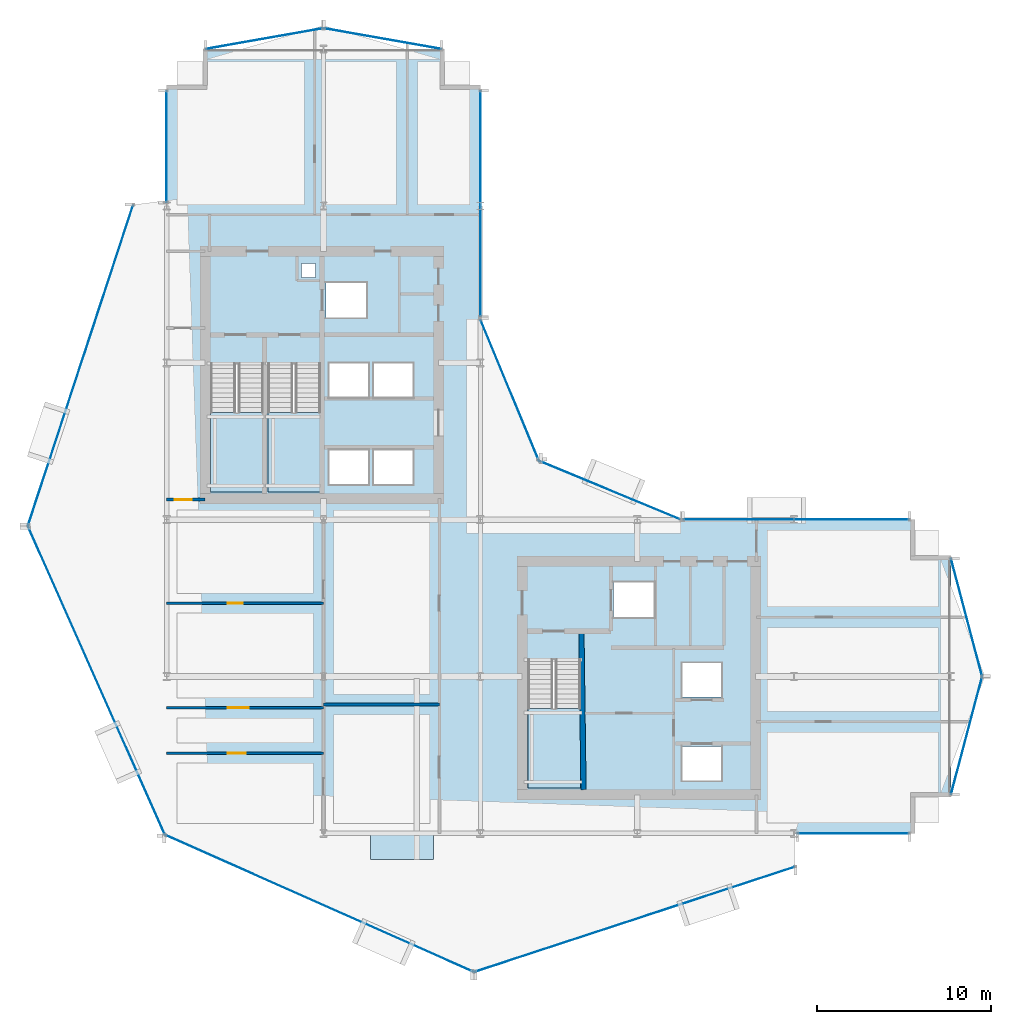
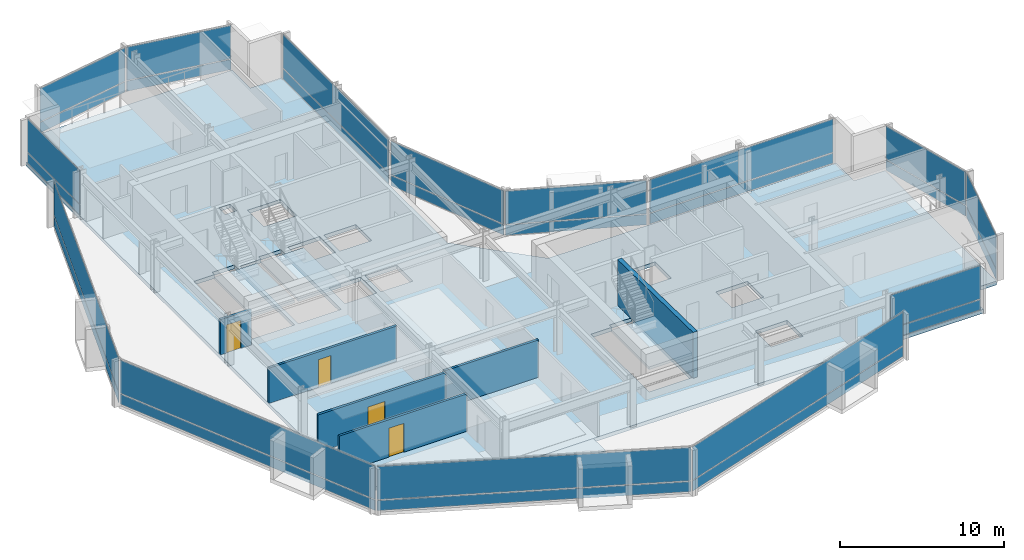
# One storey, part 21 of 29: 28 plates, 6 walls, 5 slabs, 4 doors, 4 openings, 17 elements without a shape of their own.
"""IFC4 building model written with IfcOpenShell, lengths in metres."""

from ifc_helpers import new_model, si_unit, direction, frame, frame_2d, origin, origin_2d, place, context, subcontext, project, spatial, polyline, rectangle, outline, extrude, material, layer, layer_set, type_object, element, fill, aggregate, save


model = new_model("IFC4")

# Units and contexts
model_context = context("Model", 3, precision=1e-05, world=origin(), true_north=direction((0.0, 1.0)))
body_context = subcontext(model_context, "Body", "Model", "MODEL_VIEW")
ifc_project = project(units=[si_unit("LENGTHUNIT", "METRE"), si_unit("AREAUNIT", "SQUARE_METRE"), si_unit("VOLUMEUNIT", "CUBIC_METRE"), si_unit("PLANEANGLEUNIT", "RADIAN"), si_unit("MASSUNIT", "GRAM", prefix="KILO")], contexts=[model_context])

# Site, building, storey
site_placement = place(None, origin())
site = spatial("IfcSite", under=ifc_project, at=site_placement, CompositionType="ELEMENT")
building_placement = place(site_placement, origin())
building = spatial("IfcBuilding", under=site, at=building_placement, Name="Solvaryn Broadcast Tower", CompositionType="ELEMENT")
storey_placement = place(building_placement, frame((0.0, 0.0, 113.699951171875)))
storey = spatial("IfcBuildingStorey", under=building, at=storey_placement, Name="L27", CompositionType="ELEMENT", Elevation=113.699951171875)

# Curtain wall, plates
ifc_material_1 = material(Name="Aluminium and Terracotta Unitised Curtain Wall", Category="masonry")
ifc_layer_1 = layer(ifc_material_1, 0.199951171875)
ifc_layer_set_1 = layer_set([ifc_layer_1], Name="CW-SYS2-LOWMID")
curtain_wall_type = type_object("IfcCurtainWallType", Name="CW-SYS2-LOWMID", PredefinedType="NOTDEFINED", material=ifc_layer_set_1)
curtain_wall_1_placement = place(storey_placement, origin())
curtain_wall_1 = element("IfcCurtainWall", 1, at=curtain_wall_1_placement, inside=storey, type_object=curtain_wall_type, Name="L27 Curtain Wall DR1", PredefinedType="NOTDEFINED")
ifc_material_2 = material(Name="Low-Iron Insulated Vision Glass", Category="glass")
ifc_layer_2 = layer(ifc_material_2, 0.035888671875)
ifc_layer_set_2 = layer_set([ifc_layer_2], Name="CW-PNL-VISION")
plate_type = type_object("IfcPlateType", Name="CW-PNL-VISION", PredefinedType="CURTAIN_PANEL", material=ifc_layer_set_2)
plate_1_placement = place(storey_placement, frame((4.056396484375, 35.8515625, 0.06005859375), z_axis=(0.0, 0.0, 1.0), x_axis=(-0.311646057547, -0.950198260794, 0.0)))
plate_1 = element("IfcPlate", 2, at=plate_1_placement, type_object=plate_type, Name="CWS2 panel 1.1", PredefinedType="CURTAIN_PANEL", context=body_context, shape_type="SweptSolid", body=[
    extrude(rectangle(XDim=19.277099609375, YDim=0.028076171875, at=origin_2d()), origin(), (0.0, 0.0, 1.0), 0.760009765625),
])
plate_2_placement = place(storey_placement, frame((4.056396484375, 35.8515625, 0.880126953125), z_axis=(0.0, 0.0, 1.0), x_axis=(-0.311646057547, -0.950198260794, 0.0)))
plate_2 = element("IfcPlate", 3, at=plate_2_placement, type_object=plate_type, Name="CWS2 panel 1.2", PredefinedType="CURTAIN_PANEL", context=body_context, shape_type="SweptSolid", body=[
    extrude(rectangle(XDim=19.277099609375, YDim=0.028076171875, at=origin_2d()), origin(), (0.0, 0.0, 1.0), 2.47998046875),
])
aggregate(curtain_wall_1, [plate_1, plate_2])

curtain_wall_2_placement = place(storey_placement, origin())
curtain_wall_2 = element("IfcCurtainWall", 4, at=curtain_wall_2_placement, inside=storey, type_object=curtain_wall_type, Name="L27 Curtain Wall DR2", PredefinedType="NOTDEFINED")
plate_3_placement = place(storey_placement, frame((4.970947265625, 17.77197265625, 0.06005859375), z_axis=(0.0, 0.0, 1.0), x_axis=(0.405918429309, -0.913909311008, 0.0)))
plate_3 = element("IfcPlate", 5, at=plate_3_placement, type_object=plate_type, Name="CWS2 panel 1.1", PredefinedType="CURTAIN_PANEL", context=body_context, shape_type="SweptSolid", body=[
    extrude(rectangle(XDim=19.278076171875, YDim=0.028076171875, at=origin_2d()), origin(), (0.0, 0.0, 1.0), 0.760009765625),
])
plate_4_placement = place(storey_placement, frame((4.970947265625, 17.77197265625, 0.880126953125), z_axis=(0.0, 0.0, 1.0), x_axis=(0.405918429309, -0.913909311008, 0.0)))
plate_4 = element("IfcPlate", 6, at=plate_4_placement, type_object=plate_type, Name="CWS2 panel 1.2", PredefinedType="CURTAIN_PANEL", context=body_context, shape_type="SweptSolid", body=[
    extrude(rectangle(XDim=19.278076171875, YDim=0.028076171875, at=origin_2d()), origin(), (0.0, 0.0, 1.0), 2.47998046875),
])
aggregate(curtain_wall_2, [plate_3, plate_4])

curtain_wall_3_placement = place(storey_placement, origin())
curtain_wall_3 = element("IfcCurtainWall", 7, at=curtain_wall_3_placement, inside=storey, type_object=curtain_wall_type, Name="L27 Curtain Wall DR3", PredefinedType="NOTDEFINED")
plate_5_placement = place(storey_placement, frame((17.77197265625, 4.970947265625, 0.06005859375), z_axis=(0.0, 0.0, 1.0), x_axis=(0.913909311008, -0.405918429309, 0.0)))
plate_5 = element("IfcPlate", 8, at=plate_5_placement, type_object=plate_type, Name="CWS2 panel 1.1", PredefinedType="CURTAIN_PANEL", context=body_context, shape_type="SweptSolid", body=[
    extrude(rectangle(XDim=19.278076171875, YDim=0.028076171875, at=origin_2d()), origin(), (0.0, 0.0, 1.0), 0.760009765625),
])
plate_6_placement = place(storey_placement, frame((17.77197265625, 4.970947265625, 0.880126953125), z_axis=(0.0, 0.0, 1.0), x_axis=(0.913909311008, -0.405918429309, 0.0)))
plate_6 = element("IfcPlate", 9, at=plate_6_placement, type_object=plate_type, Name="CWS2 panel 1.2", PredefinedType="CURTAIN_PANEL", context=body_context, shape_type="SweptSolid", body=[
    extrude(rectangle(XDim=19.278076171875, YDim=0.028076171875, at=origin_2d()), origin(), (0.0, 0.0, 1.0), 2.47998046875),
])
aggregate(curtain_wall_3, [plate_5, plate_6])

curtain_wall_4_placement = place(storey_placement, origin())
curtain_wall_4 = element("IfcCurtainWall", 10, at=curtain_wall_4_placement, inside=storey, type_object=curtain_wall_type, Name="L27 Curtain Wall DR4", PredefinedType="NOTDEFINED")
plate_7_placement = place(storey_placement, frame((35.8515625, 4.056396484375, 0.06005859375), z_axis=(0.0, 0.0, 1.0), x_axis=(0.950198260794, 0.311646057547, 0.0)))
plate_7 = element("IfcPlate", 11, at=plate_7_placement, type_object=plate_type, Name="CWS2 panel 1.1", PredefinedType="CURTAIN_PANEL", context=body_context, shape_type="SweptSolid", body=[
    extrude(rectangle(XDim=19.277099609375, YDim=0.028076171875, at=origin_2d()), origin(), (0.0, 0.0, 1.0), 0.760009765625),
])
plate_8_placement = place(storey_placement, frame((35.8515625, 4.056396484375, 0.880126953125), z_axis=(0.0, 0.0, 1.0), x_axis=(0.950198260794, 0.311646057547, 0.0)))
plate_8 = element("IfcPlate", 12, at=plate_8_placement, type_object=plate_type, Name="CWS2 panel 1.2", PredefinedType="CURTAIN_PANEL", context=body_context, shape_type="SweptSolid", body=[
    extrude(rectangle(XDim=19.277099609375, YDim=0.028076171875, at=origin_2d()), origin(), (0.0, 0.0, 1.0), 2.47998046875),
])
aggregate(curtain_wall_4, [plate_7, plate_8])

curtain_wall_5_placement = place(storey_placement, origin())
curtain_wall_5 = element("IfcCurtainWall", 13, at=curtain_wall_5_placement, inside=storey, type_object=curtain_wall_type, Name="L27 Curtain Wall W2", PredefinedType="NOTDEFINED")
plate_9_placement = place(storey_placement, frame((9.0, 48.408447265625, 0.06005859375), z_axis=(0.0, 0.0, 1.0), x_axis=(0.0, 1.0, 0.0)))
plate_9 = element("IfcPlate", 14, at=plate_9_placement, type_object=plate_type, Name="CWS2 panel 1.1", PredefinedType="CURTAIN_PANEL", context=body_context, shape_type="SweptSolid", body=[
    extrude(rectangle(XDim=6.363037109375, YDim=0.028076171875, at=origin_2d()), origin(), (0.0, 0.0, 1.0), 0.760009765625),
])
plate_10_placement = place(storey_placement, frame((9.0, 48.408447265625, 0.880126953125), z_axis=(0.0, 0.0, 1.0), x_axis=(0.0, 1.0, 0.0)))
plate_10 = element("IfcPlate", 15, at=plate_10_placement, type_object=plate_type, Name="CWS2 panel 1.2", PredefinedType="CURTAIN_PANEL", context=body_context, shape_type="SweptSolid", body=[
    extrude(rectangle(XDim=6.363037109375, YDim=0.028076171875, at=origin_2d()), origin(), (0.0, 0.0, 1.0), 2.47998046875),
])
aggregate(curtain_wall_5, [plate_9, plate_10])

curtain_wall_6_placement = place(storey_placement, origin())
curtain_wall_6 = element("IfcCurtainWall", 16, at=curtain_wall_6_placement, inside=storey, type_object=curtain_wall_type, Name="L27 Curtain Wall IV", PredefinedType="NOTDEFINED")
plate_11_placement = place(storey_placement, frame((27.0, 45.125, 0.06005859375), z_axis=(0.0, 0.0, 1.0), x_axis=(0.0, -1.0, 0.0)))
plate_11 = element("IfcPlate", 17, at=plate_11_placement, type_object=plate_type, Name="CWS2 panel 1.1", PredefinedType="CURTAIN_PANEL", context=body_context, shape_type="SweptSolid", body=[
    extrude(rectangle(XDim=12.929931640625, YDim=0.028076171875, at=origin_2d()), origin(), (0.0, 0.0, 1.0), 0.760009765625),
])
plate_12_placement = place(storey_placement, frame((27.0, 45.125, 0.880126953125), z_axis=(0.0, 0.0, 1.0), x_axis=(0.0, -1.0, 0.0)))
plate_12 = element("IfcPlate", 18, at=plate_12_placement, type_object=plate_type, Name="CWS2 panel 1.2", PredefinedType="CURTAIN_PANEL", context=body_context, shape_type="SweptSolid", body=[
    extrude(rectangle(XDim=12.929931640625, YDim=0.028076171875, at=origin_2d()), origin(), (0.0, 0.0, 1.0), 2.47998046875),
])
aggregate(curtain_wall_6, [plate_11, plate_12])

curtain_wall_7_placement = place(storey_placement, origin())
curtain_wall_7 = element("IfcCurtainWall", 19, at=curtain_wall_7_placement, inside=storey, type_object=curtain_wall_type, Name="L27 Curtain Wall CN1", PredefinedType="NOTDEFINED")
plate_13_placement = place(storey_placement, frame((34.43408203125, 28.68408203125, 0.06005859375), z_axis=(0.0, 0.0, 1.0), x_axis=(-0.923894983957, 0.382646127145, 0.0)))
plate_13 = element("IfcPlate", 20, at=plate_13_placement, type_object=plate_type, Name="CWS2 panel 1.1", PredefinedType="CURTAIN_PANEL", context=body_context, shape_type="SweptSolid", body=[
    extrude(rectangle(XDim=8.681884765625, YDim=0.028076171875, at=origin_2d()), origin(), (0.0, 0.0, 1.0), 0.760009765625),
])
plate_14_placement = place(storey_placement, frame((34.43408203125, 28.68408203125, 0.880126953125), z_axis=(0.0, 0.0, 1.0), x_axis=(-0.923894983957, 0.382646127145, 0.0)))
plate_14 = element("IfcPlate", 21, at=plate_14_placement, type_object=plate_type, Name="CWS2 panel 1.2", PredefinedType="CURTAIN_PANEL", context=body_context, shape_type="SweptSolid", body=[
    extrude(rectangle(XDim=8.681884765625, YDim=0.028076171875, at=origin_2d()), origin(), (0.0, 0.0, 1.0), 2.47998046875),
])
aggregate(curtain_wall_7, [plate_13, plate_14])

curtain_wall_8_placement = place(storey_placement, origin())
curtain_wall_8 = element("IfcCurtainWall", 22, at=curtain_wall_8_placement, inside=storey, type_object=curtain_wall_type, Name="L27 Curtain Wall CN2", PredefinedType="NOTDEFINED")
plate_15_placement = place(storey_placement, frame((28.68408203125, 34.43408203125, 0.06005859375), z_axis=(0.0, 0.0, 1.0), x_axis=(-0.382646127145, 0.923894983957, 0.0)))
plate_15 = element("IfcPlate", 23, at=plate_15_placement, type_object=plate_type, Name="CWS2 panel 1.1", PredefinedType="CURTAIN_PANEL", context=body_context, shape_type="SweptSolid", body=[
    extrude(rectangle(XDim=8.681884765625, YDim=0.028076171875, at=origin_2d()), origin(), (0.0, 0.0, 1.0), 0.760009765625),
])
plate_16_placement = place(storey_placement, frame((28.68408203125, 34.43408203125, 0.880126953125), z_axis=(0.0, 0.0, 1.0), x_axis=(-0.382646127145, 0.923894983957, 0.0)))
plate_16 = element("IfcPlate", 24, at=plate_16_placement, type_object=plate_type, Name="CWS2 panel 1.2", PredefinedType="CURTAIN_PANEL", context=body_context, shape_type="SweptSolid", body=[
    extrude(rectangle(XDim=8.681884765625, YDim=0.028076171875, at=origin_2d()), origin(), (0.0, 0.0, 1.0), 2.47998046875),
])
aggregate(curtain_wall_8, [plate_15, plate_16])

curtain_wall_9_placement = place(storey_placement, origin())
curtain_wall_9 = element("IfcCurtainWall", 25, at=curtain_wall_9_placement, inside=storey, type_object=curtain_wall_type, Name="L27 Curtain Wall S2", PredefinedType="NOTDEFINED")
plate_17_placement = place(storey_placement, frame((48.408447265625, 9.0, 0.06005859375), z_axis=(0.0, 0.0, 1.0), x_axis=(1.0, 0.0, 0.0)))
plate_17 = element("IfcPlate", 26, at=plate_17_placement, type_object=plate_type, Name="CWS2 panel 1.1", PredefinedType="CURTAIN_PANEL", context=body_context, shape_type="SweptSolid", body=[
    extrude(rectangle(XDim=6.363037109375, YDim=0.028076171875, at=origin_2d()), origin(), (0.0, 0.0, 1.0), 0.760009765625),
])
plate_18_placement = place(storey_placement, frame((48.408447265625, 9.0, 0.880126953125), z_axis=(0.0, 0.0, 1.0), x_axis=(1.0, 0.0, 0.0)))
plate_18 = element("IfcPlate", 27, at=plate_18_placement, type_object=plate_type, Name="CWS2 panel 1.2", PredefinedType="CURTAIN_PANEL", context=body_context, shape_type="SweptSolid", body=[
    extrude(rectangle(XDim=6.363037109375, YDim=0.028076171875, at=origin_2d()), origin(), (0.0, 0.0, 1.0), 2.47998046875),
])
aggregate(curtain_wall_9, [plate_17, plate_18])

curtain_wall_10_placement = place(storey_placement, origin())
curtain_wall_10 = element("IfcCurtainWall", 28, at=curtain_wall_10_placement, inside=storey, type_object=curtain_wall_type, Name="L27 Curtain Wall NT1", PredefinedType="NOTDEFINED")
plate_19_placement = place(storey_placement, frame((21.39990234375, 54.60009765625, 0.06005859375), z_axis=(0.0, 0.0, 1.0), x_axis=(-0.984783558819, 0.173785333901, 0.0)))
plate_19 = element("IfcPlate", 29, at=plate_19_placement, type_object=plate_type, Name="CWS2 panel 1.1", PredefinedType="CURTAIN_PANEL", context=body_context, shape_type="SweptSolid", body=[
    extrude(rectangle(XDim=6.78515625, YDim=0.028076171875, at=origin_2d()), origin(), (0.0, 0.0, 1.0), 0.760009765625),
])
plate_20_placement = place(storey_placement, frame((21.39990234375, 54.60009765625, 0.880126953125), z_axis=(0.0, 0.0, 1.0), x_axis=(-0.984783558819, 0.173785333901, 0.0)))
plate_20 = element("IfcPlate", 30, at=plate_20_placement, type_object=plate_type, Name="CWS2 panel 1.2", PredefinedType="CURTAIN_PANEL", context=body_context, shape_type="SweptSolid", body=[
    extrude(rectangle(XDim=6.78515625, YDim=0.028076171875, at=origin_2d()), origin(), (0.0, 0.0, 1.0), 2.47998046875),
])
aggregate(curtain_wall_10, [plate_19, plate_20])

curtain_wall_11_placement = place(storey_placement, origin())
curtain_wall_11 = element("IfcCurtainWall", 31, at=curtain_wall_11_placement, inside=storey, type_object=curtain_wall_type, Name="L27 Curtain Wall NT2", PredefinedType="NOTDEFINED")
plate_21_placement = place(storey_placement, frame((14.60009765625, 54.60009765625, 0.06005859375), z_axis=(0.0, 0.0, 1.0), x_axis=(-0.984783558819, -0.173785333901, 0.0)))
plate_21 = element("IfcPlate", 32, at=plate_21_placement, type_object=plate_type, Name="CWS2 panel 1.1", PredefinedType="CURTAIN_PANEL", context=body_context, shape_type="SweptSolid", body=[
    extrude(rectangle(XDim=6.78515625, YDim=0.028076171875, at=origin_2d()), origin(), (0.0, 0.0, 1.0), 0.760009765625),
])
plate_22_placement = place(storey_placement, frame((14.60009765625, 54.60009765625, 0.880126953125), z_axis=(0.0, 0.0, 1.0), x_axis=(-0.984783558819, -0.173785333901, 0.0)))
plate_22 = element("IfcPlate", 33, at=plate_22_placement, type_object=plate_type, Name="CWS2 panel 1.2", PredefinedType="CURTAIN_PANEL", context=body_context, shape_type="SweptSolid", body=[
    extrude(rectangle(XDim=6.78515625, YDim=0.028076171875, at=origin_2d()), origin(), (0.0, 0.0, 1.0), 2.47998046875),
])
aggregate(curtain_wall_11, [plate_21, plate_22])

curtain_wall_12_placement = place(storey_placement, origin())
curtain_wall_12 = element("IfcCurtainWall", 34, at=curtain_wall_12_placement, inside=storey, type_object=curtain_wall_type, Name="L27 Curtain Wall ET1", PredefinedType="NOTDEFINED")
plate_23_placement = place(storey_placement, frame((54.89990234375, 21.39990234375, 0.06005859375), z_axis=(0.0, 0.0, 1.0), x_axis=(0.25589256031, -0.966705227863, 0.0)))
plate_23 = element("IfcPlate", 35, at=plate_23_placement, type_object=plate_type, Name="CWS2 panel 1.1", PredefinedType="CURTAIN_PANEL", context=body_context, shape_type="SweptSolid", body=[
    extrude(rectangle(XDim=6.914306640625, YDim=0.028076171875, at=origin_2d()), origin(), (0.0, 0.0, 1.0), 0.760009765625),
])
plate_24_placement = place(storey_placement, frame((54.89990234375, 21.39990234375, 0.880126953125), z_axis=(0.0, 0.0, 1.0), x_axis=(0.25589256031, -0.966705227863, 0.0)))
plate_24 = element("IfcPlate", 36, at=plate_24_placement, type_object=plate_type, Name="CWS2 panel 1.2", PredefinedType="CURTAIN_PANEL", context=body_context, shape_type="SweptSolid", body=[
    extrude(rectangle(XDim=6.914306640625, YDim=0.028076171875, at=origin_2d()), origin(), (0.0, 0.0, 1.0), 2.47998046875),
])
aggregate(curtain_wall_12, [plate_23, plate_24])

curtain_wall_13_placement = place(storey_placement, origin())
curtain_wall_13 = element("IfcCurtainWall", 37, at=curtain_wall_13_placement, inside=storey, type_object=curtain_wall_type, Name="L27 Curtain Wall ET2", PredefinedType="NOTDEFINED")
plate_25_placement = place(storey_placement, frame((54.89990234375, 14.60009765625, 0.06005859375), z_axis=(0.0, 0.0, 1.0), x_axis=(-0.25589256031, -0.966705227863, 0.0)))
plate_25 = element("IfcPlate", 38, at=plate_25_placement, type_object=plate_type, Name="CWS2 panel 1.1", PredefinedType="CURTAIN_PANEL", context=body_context, shape_type="SweptSolid", body=[
    extrude(rectangle(XDim=6.914306640625, YDim=0.028076171875, at=origin_2d()), origin(), (0.0, 0.0, 1.0), 0.760009765625),
])
plate_26_placement = place(storey_placement, frame((54.89990234375, 14.60009765625, 0.880126953125), z_axis=(0.0, 0.0, 1.0), x_axis=(-0.25589256031, -0.966705227863, 0.0)))
plate_26 = element("IfcPlate", 39, at=plate_26_placement, type_object=plate_type, Name="CWS2 panel 1.2", PredefinedType="CURTAIN_PANEL", context=body_context, shape_type="SweptSolid", body=[
    extrude(rectangle(XDim=6.914306640625, YDim=0.028076171875, at=origin_2d()), origin(), (0.0, 0.0, 1.0), 2.47998046875),
])
aggregate(curtain_wall_13, [plate_25, plate_26])

curtain_wall_14_placement = place(storey_placement, origin())
curtain_wall_14 = element("IfcCurtainWall", 40, at=curtain_wall_14_placement, inside=storey, type_object=curtain_wall_type, Name="L27 Curtain Wall IH", PredefinedType="NOTDEFINED")
plate_27_placement = place(storey_placement, frame((45.125, 27.0, 0.06005859375), z_axis=(0.0, 0.0, 1.0), x_axis=(1.0, 0.0, 0.0)))
plate_27 = element("IfcPlate", 41, at=plate_27_placement, type_object=plate_type, Name="CWS2 panel 1.1", PredefinedType="CURTAIN_PANEL", context=body_context, shape_type="SweptSolid", body=[
    extrude(rectangle(XDim=12.929931640625, YDim=0.028076171875, at=origin_2d()), origin(), (0.0, 0.0, 1.0), 0.760009765625),
])
plate_28_placement = place(storey_placement, frame((45.125, 27.0, 0.880126953125), z_axis=(0.0, 0.0, 1.0), x_axis=(1.0, 0.0, 0.0)))
plate_28 = element("IfcPlate", 42, at=plate_28_placement, type_object=plate_type, Name="CWS2 panel 1.2", PredefinedType="CURTAIN_PANEL", context=body_context, shape_type="SweptSolid", body=[
    extrude(rectangle(XDim=12.929931640625, YDim=0.028076171875, at=origin_2d()), origin(), (0.0, 0.0, 1.0), 2.47998046875),
])
aggregate(curtain_wall_14, [plate_27, plate_28])

# Slab
ifc_material_3 = material(Name="Concrete f'c 60 MPa", Category="concrete")
ifc_layer_3 = layer(ifc_material_3, 0.2099609375)
ifc_layer_set_3 = layer_set([ifc_layer_3], Name="SL-BAYBOX-210")
slab_type_1 = type_object("IfcSlabType", Name="SL-BAYBOX-210", PredefinedType="FLOOR", material=ifc_layer_set_3)
slab_1_placement = place(storey_placement, frame((0.0, 0.0, -0.2099609375)))
element("IfcSlab", 43, at=slab_1_placement, inside=storey, type_object=slab_type_1, Name="L27 Projecting Bay-Box Slab 1", PredefinedType="FLOOR", context=body_context, shape_type="SweptSolid", body=[
    extrude(outline(polyline([(20.699951171875, 7.5), (24.300048828125, 7.5), (24.300048828125, 9.0), (20.699951171875, 9.0), (20.699951171875, 7.5)])), origin(), (0.0, 0.0, 1.0), 0.2099609375),
])

# Stair, slab
ifc_material_4 = material(Name="Concrete f'c 60 MPa", Category="concrete")
stair_type = type_object("IfcStairType", Name="ST-CORE", PredefinedType="HALF_TURN_STAIR", material=ifc_material_4)
stair_1_placement = place(storey_placement, origin())
stair_1 = element("IfcStair", 44, at=stair_1_placement, inside=storey, type_object=stair_type, Name="L27 ST1", PredefinedType="HALF_TURN_STAIR")
ifc_material_5 = material(Name="Concrete f'c 60 MPa", Category="concrete")
ifc_layer_4 = layer(ifc_material_5, 0.199951171875)
ifc_layer_set_4 = layer_set([ifc_layer_4], Name="SL-LANDING-200")
slab_type_2 = type_object("IfcSlabType", Name="SL-LANDING-200", PredefinedType="LANDING", material=ifc_layer_set_4)
slab_2_placement = place(storey_placement, frame((0.0, 0.0, 1.650146484375)))
slab_2 = element("IfcSlab", 45, at=slab_2_placement, type_object=slab_type_2, Name="ST1 landing 1", PredefinedType="LANDING", context=body_context, shape_type="SweptSolid", body=[
    extrude(outline(polyline([(11.52001953125, 33.159912109375), (11.52001953125, 28.60009765625), (14.550048828125, 28.60009765625), (14.550048828125, 33.159912109375), (11.52001953125, 33.159912109375)])), origin(), (0.0, 0.0, 1.0), 0.199951171875),
])
aggregate(stair_1, [slab_2])

stair_2_placement = place(storey_placement, origin())
stair_2 = element("IfcStair", 46, at=stair_2_placement, inside=storey, type_object=stair_type, Name="L27 ST2", PredefinedType="HALF_TURN_STAIR")
slab_3_placement = place(storey_placement, frame((0.0, 0.0, 1.650146484375)))
slab_3 = element("IfcSlab", 47, at=slab_3_placement, type_object=slab_type_2, Name="ST2 landing 1", PredefinedType="LANDING", context=body_context, shape_type="SweptSolid", body=[
    extrude(outline(polyline([(14.800048828125, 33.159912109375), (14.800048828125, 28.60009765625), (17.830078125, 28.60009765625), (17.830078125, 33.159912109375), (14.800048828125, 33.159912109375)])), origin(), (0.0, 0.0, 1.0), 0.199951171875),
])
aggregate(stair_2, [slab_3])

stair_3_placement = place(storey_placement, origin())
stair_3 = element("IfcStair", 48, at=stair_3_placement, inside=storey, type_object=stair_type, Name="L27 ST3", PredefinedType="HALF_TURN_STAIR")
slab_4_placement = place(storey_placement, frame((0.0, 0.0, 1.650146484375)))
slab_4 = element("IfcSlab", 49, at=slab_4_placement, type_object=slab_type_2, Name="ST3 landing 1", PredefinedType="LANDING", context=body_context, shape_type="SweptSolid", body=[
    extrude(outline(polyline([(29.719970703125, 16.159912109375), (29.719970703125, 11.60009765625), (32.75, 11.60009765625), (32.75, 16.159912109375), (29.719970703125, 16.159912109375)])), origin(), (0.0, 0.0, 1.0), 0.199951171875),
])
aggregate(stair_3, [slab_4])

# Slab
ifc_material_6 = material(Name="Concrete f'c 60 MPa", Category="concrete")
ifc_layer_5 = layer(ifc_material_6, 0.280029296875)
ifc_layer_set_5 = layer_set([ifc_layer_5], Name="SL-TWR-280")
slab_type_3 = type_object("IfcSlabType", Name="SL-TWR-280", PredefinedType="FLOOR", material=ifc_layer_set_5)
slab_5_placement = place(storey_placement, frame((0.0, 0.0, -0.280029296875)))
element("IfcSlab", 50, at=slab_5_placement, inside=storey, type_object=slab_type_3, Name="L27 Structural Floor Slab", PredefinedType="FLOOR", context=body_context, shape_type="SweptSolid", body=[
    extrude(outline(polyline([(11.199951171875, 9.0), (51.800048828125, 9.0), (51.800048828125, 11.199951171875), (54.0, 11.199951171875), (54.0, 24.800048828125), (51.800048828125, 24.800048828125), (51.800048828125, 27.0), (31.5, 27.0), (27.0, 31.5), (27.0, 51.800048828125), (24.800048828125, 51.800048828125), (24.800048828125, 54.0), (11.199951171875, 54.0), (11.199951171875, 51.800048828125), (9.0, 51.800048828125), (9.0, 11.199951171875), (11.199951171875, 11.199951171875), (11.199951171875, 9.0)]), holes=[polyline([(11.52001953125, 28.60009765625), (14.550048828125, 28.60009765625), (14.550048828125, 35.9599609375), (12.97998046875, 35.9599609375), (12.97998046875, 35.679931640625), (11.52001953125, 35.679931640625), (11.52001953125, 28.60009765625)]), polyline([(14.800048828125, 28.60009765625), (17.830078125, 28.60009765625), (17.830078125, 35.9599609375), (16.260009765625, 35.9599609375), (16.260009765625, 35.679931640625), (14.800048828125, 35.679931640625), (14.800048828125, 28.60009765625)]), polyline([(29.719970703125, 11.60009765625), (32.75, 11.60009765625), (32.75, 18.9599609375), (31.179931640625, 18.9599609375), (31.179931640625, 18.679931640625), (29.719970703125, 18.679931640625), (29.719970703125, 11.60009765625)]), polyline([(18.14990234375, 38.60009765625), (20.449951171875, 38.60009765625), (20.449951171875, 40.60009765625), (18.14990234375, 40.60009765625), (18.14990234375, 38.60009765625)]), polyline([(18.324951171875, 29.02490234375), (20.574951171875, 29.02490234375), (20.574951171875, 30.97509765625), (18.324951171875, 30.97509765625), (18.324951171875, 29.02490234375)]), polyline([(20.875, 29.02490234375), (23.125, 29.02490234375), (23.125, 30.97509765625), (20.875, 30.97509765625), (20.875, 29.02490234375)]), polyline([(18.324951171875, 34.02490234375), (20.574951171875, 34.02490234375), (20.574951171875, 35.97509765625), (18.324951171875, 35.97509765625), (18.324951171875, 34.02490234375)]), polyline([(20.875, 34.02490234375), (23.125, 34.02490234375), (23.125, 35.97509765625), (20.875, 35.97509765625), (20.875, 34.02490234375)]), polyline([(34.64990234375, 21.39990234375), (36.949951171875, 21.39990234375), (36.949951171875, 23.39990234375), (34.64990234375, 23.39990234375), (34.64990234375, 21.39990234375)]), polyline([(38.574951171875, 12.02490234375), (40.824951171875, 12.02490234375), (40.824951171875, 13.97509765625), (38.574951171875, 13.97509765625), (38.574951171875, 12.02490234375)]), polyline([(38.574951171875, 16.824951171875), (40.824951171875, 16.824951171875), (40.824951171875, 18.77490234375), (38.574951171875, 18.77490234375), (38.574951171875, 16.824951171875)]), polyline([(16.75, 40.89990234375), (17.550048828125, 40.89990234375), (17.550048828125, 41.699951171875), (16.75, 41.699951171875), (16.75, 40.89990234375)])]), origin(), (0.0, 0.0, 1.0), 0.280029296875),
])

# Wall, opening, door
ifc_material_7 = material(Name="Metal-Stud Gypsum Office Partition")
ifc_layer_6 = layer(ifc_material_7, 0.159912109375)
ifc_layer_set_6 = layer_set([ifc_layer_6], Name="IW-PART-160")
wall_type_1 = type_object("IfcWallType", Name="IW-PART-160", PredefinedType="PARTITIONING", material=ifc_layer_set_6)
wall_1_placement = place(storey_placement, frame((9.0, 28.14990234375, 0.0), z_axis=(0.0, 0.0, 1.0), x_axis=(1.0, 0.0, 0.0)))
wall_1 = element("IfcWall", 51, at=wall_1_placement, inside=storey, type_object=wall_type_1, Name="L27 Interior Partition IW-L27-WM-S", PredefinedType="PARTITIONING", context=body_context, shape_type="SweptSolid", body=[
    extrude(rectangle(XDim=2.199951171875, YDim=0.159912109375, at=frame_2d((1.10009765625, 0.0))), origin(), (0.0, 0.0, 1.0), 2.634033203125),
])
opening_1_placement = place(wall_1_placement, frame((0.449951171875, 0.0, 0.0)))
opening_1 = element("IfcOpeningElement", 52, at=opening_1_placement, cuts=wall_1, Name="Opening ID02", PredefinedType="OPENING", context=body_context, shape_type="SweptSolid", body=[
    extrude(rectangle(XDim=1.0, YDim=2.10009765625, at=frame_2d((0.5, 1.050048828125))), frame((0.0, 0.090087890625, 0.0), z_axis=(0.0, -1.0, 0.0), x_axis=(1.0, 0.0, 0.0)), (0.0, 0.0, 1.0), 0.179931640625),
])
ifc_material_8 = material(Name="Flush Acoustic Steel and Timber Door Assembly", Category="steel")
door_type_1 = type_object("IfcDoorType", Name="ID-02-1000X2100", OperationType="NOTDEFINED", PredefinedType="DOOR", material=ifc_material_8)
door_1_placement = place(opening_1_placement, origin())
door_1 = element("IfcDoor", 53, at=door_1_placement, inside=storey, type_object=door_type_1, Name="L27 Door DR-L27-WM0", OperationType="SINGLE_SWING_RIGHT", OverallHeight=2.10009765625, OverallWidth=1.0, PredefinedType="DOOR", context=body_context, shape_type="SweptSolid", body=[
    extrude(rectangle(XDim=1.0, YDim=2.10009765625, at=frame_2d((0.5, 1.050048828125))), frame((0.0, 0.02490234375, 0.0), z_axis=(0.0, -1.0, 0.0), x_axis=(1.0, 0.0, 0.0)), (0.0, 0.0, 1.0), 0.050048828125),
])
fill(opening_1, door_1)

# Wall
wall_2_placement = place(storey_placement, frame((18.0, 16.39990234375, 0.0), z_axis=(0.0, 0.0, 1.0), x_axis=(1.0, 0.0, 0.0)))
element("IfcWall", 54, at=wall_2_placement, inside=storey, type_object=wall_type_1, Name="L27 Interior Partition IW-L27-SWE-H1", PredefinedType="PARTITIONING", context=body_context, shape_type="SweptSolid", body=[
    extrude(rectangle(XDim=6.64990234375, YDim=0.159912109375, at=frame_2d((3.324951171875, 0.0))), origin(), (0.0, 0.0, 1.0), 2.7890625),
])

# Wall, opening, door
wall_3_placement = place(storey_placement, frame((9.0, 13.60009765625, 0.0), z_axis=(0.0, 0.0, 1.0), x_axis=(1.0, 0.0, 0.0)))
wall_3 = element("IfcWall", 55, at=wall_3_placement, inside=storey, type_object=wall_type_1, Name="L27 Interior Partition IW-L27-SWW-H1", PredefinedType="PARTITIONING", context=body_context, shape_type="SweptSolid", body=[
    extrude(rectangle(XDim=9.0, YDim=0.159912109375, at=frame_2d((4.5, 0.0))), origin(), (0.0, 0.0, 1.0), 2.7919921875),
])
opening_2_placement = place(wall_3_placement, frame((3.5, 0.0, 0.0)))
opening_2 = element("IfcOpeningElement", 56, at=opening_2_placement, cuts=wall_3, Name="Opening ID03", PredefinedType="OPENING", context=body_context, shape_type="SweptSolid", body=[
    extrude(rectangle(XDim=1.050048828125, YDim=2.14990234375, at=frame_2d((0.52490234375, 1.074951171875))), frame((0.0, 0.090087890625, 0.0), z_axis=(0.0, -1.0, 0.0), x_axis=(1.0, 0.0, 0.0)), (0.0, 0.0, 1.0), 0.179931640625),
])
ifc_material_9 = material(Name="Flush Acoustic Steel and Timber Door Assembly", Category="steel")
door_type_2 = type_object("IfcDoorType", Name="ID-03-1050X2150", OperationType="NOTDEFINED", PredefinedType="DOOR", material=ifc_material_9)
door_2_placement = place(opening_2_placement, origin())
door_2 = element("IfcDoor", 57, at=door_2_placement, inside=storey, type_object=door_type_2, Name="L27 Door DR-L27-SWW-1", OperationType="SINGLE_SWING_RIGHT", OverallHeight=2.14990234375, OverallWidth=1.050048828125, PredefinedType="DOOR", context=body_context, shape_type="SweptSolid", body=[
    extrude(rectangle(XDim=1.050048828125, YDim=2.14990234375, at=frame_2d((0.52490234375, 1.074951171875))), frame((0.0, 0.02490234375, 0.0), z_axis=(0.0, -1.0, 0.0), x_axis=(1.0, 0.0, 0.0)), (0.0, 0.0, 1.0), 0.050048828125),
])
fill(opening_2, door_2)

wall_4_placement = place(storey_placement, frame((9.0, 16.199951171875, 0.0), z_axis=(0.0, 0.0, 1.0), x_axis=(1.0, 0.0, 0.0)))
wall_4 = element("IfcWall", 58, at=wall_4_placement, inside=storey, type_object=wall_type_1, Name="L27 Interior Partition IW-L27-SWW-H2", PredefinedType="PARTITIONING", context=body_context, shape_type="SweptSolid", body=[
    extrude(rectangle(XDim=9.0, YDim=0.159912109375, at=frame_2d((4.5, 0.0))), origin(), (0.0, 0.0, 1.0), 2.7919921875),
])
opening_3_placement = place(wall_4_placement, frame((3.5, 0.0, 0.0)))
opening_3 = element("IfcOpeningElement", 59, at=opening_3_placement, cuts=wall_4, Name="Opening ID04", PredefinedType="OPENING", context=body_context, shape_type="SweptSolid", body=[
    extrude(rectangle(XDim=1.199951171875, YDim=2.14990234375, at=frame_2d((0.60009765625, 1.074951171875))), frame((0.0, 0.090087890625, 0.0), z_axis=(0.0, -1.0, 0.0), x_axis=(1.0, 0.0, 0.0)), (0.0, 0.0, 1.0), 0.179931640625),
])
ifc_material_10 = material(Name="Flush Acoustic Steel and Timber Door Assembly", Category="steel")
door_type_3 = type_object("IfcDoorType", Name="ID-04-1200X2150", OperationType="NOTDEFINED", PredefinedType="DOOR", material=ifc_material_10)
door_3_placement = place(opening_3_placement, origin())
door_3 = element("IfcDoor", 60, at=door_3_placement, inside=storey, type_object=door_type_3, Name="L27 Door DR-L27-SWW-2", OperationType="SINGLE_SWING_LEFT", OverallHeight=2.14990234375, OverallWidth=1.199951171875, PredefinedType="DOOR", context=body_context, shape_type="SweptSolid", body=[
    extrude(rectangle(XDim=1.199951171875, YDim=2.14990234375, at=frame_2d((0.60009765625, 1.074951171875))), frame((0.0, 0.02490234375, 0.0), z_axis=(0.0, -1.0, 0.0), x_axis=(1.0, 0.0, 0.0)), (0.0, 0.0, 1.0), 0.050048828125),
])
fill(opening_3, door_3)

wall_5_placement = place(storey_placement, frame((9.0, 22.199951171875, 0.0), z_axis=(0.0, 0.0, 1.0), x_axis=(1.0, 0.0, 0.0)))
wall_5 = element("IfcWall", 61, at=wall_5_placement, inside=storey, type_object=wall_type_1, Name="L27 Interior Partition IW-L27-SWW-H3", PredefinedType="PARTITIONING", context=body_context, shape_type="SweptSolid", body=[
    extrude(rectangle(XDim=9.0, YDim=0.159912109375, at=frame_2d((4.5, 0.0))), origin(), (0.0, 0.0, 1.0), 2.634033203125),
])
opening_4_placement = place(wall_5_placement, frame((3.5, 0.0, 0.0)))
opening_4 = element("IfcOpeningElement", 62, at=opening_4_placement, cuts=wall_5, Name="Opening ID07", PredefinedType="OPENING", context=body_context, shape_type="SweptSolid", body=[
    extrude(rectangle(XDim=0.860107421875, YDim=2.050048828125, at=frame_2d((0.43017578125, 1.02490234375))), frame((0.0, 0.090087890625, 0.0), z_axis=(0.0, -1.0, 0.0), x_axis=(1.0, 0.0, 0.0)), (0.0, 0.0, 1.0), 0.179931640625),
])
ifc_material_11 = material(Name="Flush Acoustic Steel and Timber Door Assembly", Category="steel")
door_type_4 = type_object("IfcDoorType", Name="ID-07-860X2050", OperationType="NOTDEFINED", PredefinedType="DOOR", material=ifc_material_11)
door_4_placement = place(opening_4_placement, origin())
door_4 = element("IfcDoor", 63, at=door_4_placement, inside=storey, type_object=door_type_4, Name="L27 Door DR-L27-SWW-3", OperationType="SINGLE_SWING_RIGHT", OverallHeight=2.050048828125, OverallWidth=0.860107421875, PredefinedType="DOOR", context=body_context, shape_type="SweptSolid", body=[
    extrude(rectangle(XDim=0.860107421875, YDim=2.050048828125, at=frame_2d((0.43017578125, 1.02490234375))), frame((0.0, 0.02490234375, 0.0), z_axis=(0.0, -1.0, 0.0), x_axis=(1.0, 0.0, 0.0)), (0.0, 0.0, 1.0), 0.050048828125),
])
fill(opening_4, door_4)

# Wall
ifc_material_12 = material(Name="Concrete f'c 70 MPa", Category="concrete")
ifc_layer_7 = layer(ifc_material_12, 0.300048828125)
ifc_layer_set_7 = layer_set([ifc_layer_7], Name="SW-SHAFT-300")
wall_type_2 = type_object("IfcWallType", Name="SW-SHAFT-300", PredefinedType="SHEAR", material=ifc_layer_set_7)
wall_6_placement = place(storey_placement, frame((32.919921875, 11.5, 0.0), z_axis=(0.0, 0.0, 1.0), x_axis=(-0.013244407292, 0.999912288991, 0.0)))
element("IfcWall", 64, at=wall_6_placement, inside=storey, type_object=wall_type_2, Name="L27 Stair 3 East Shear Wall", PredefinedType="SHEAR", context=body_context, shape_type="SweptSolid", body=[
    extrude(rectangle(XDim=9.05078125, YDim=0.300048828125, at=frame_2d((4.525390625, 0.0))), origin(), (0.0, 0.0, 1.0), 3.420166015625),
])

save(model, "model.ifc")
